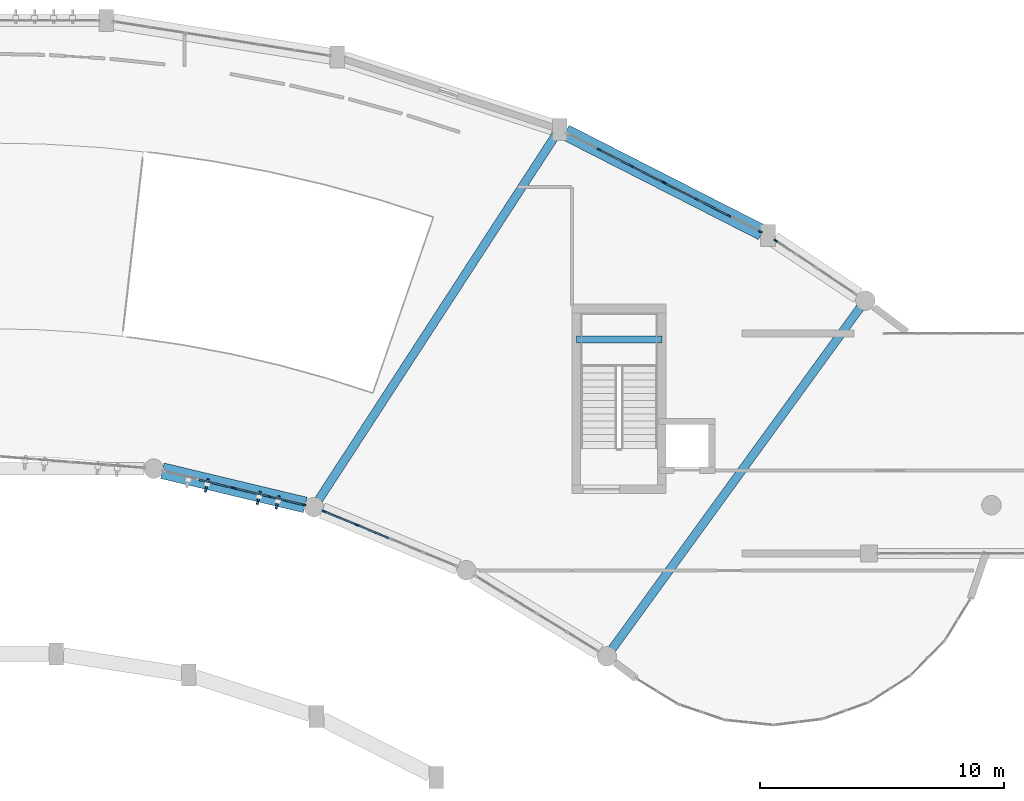
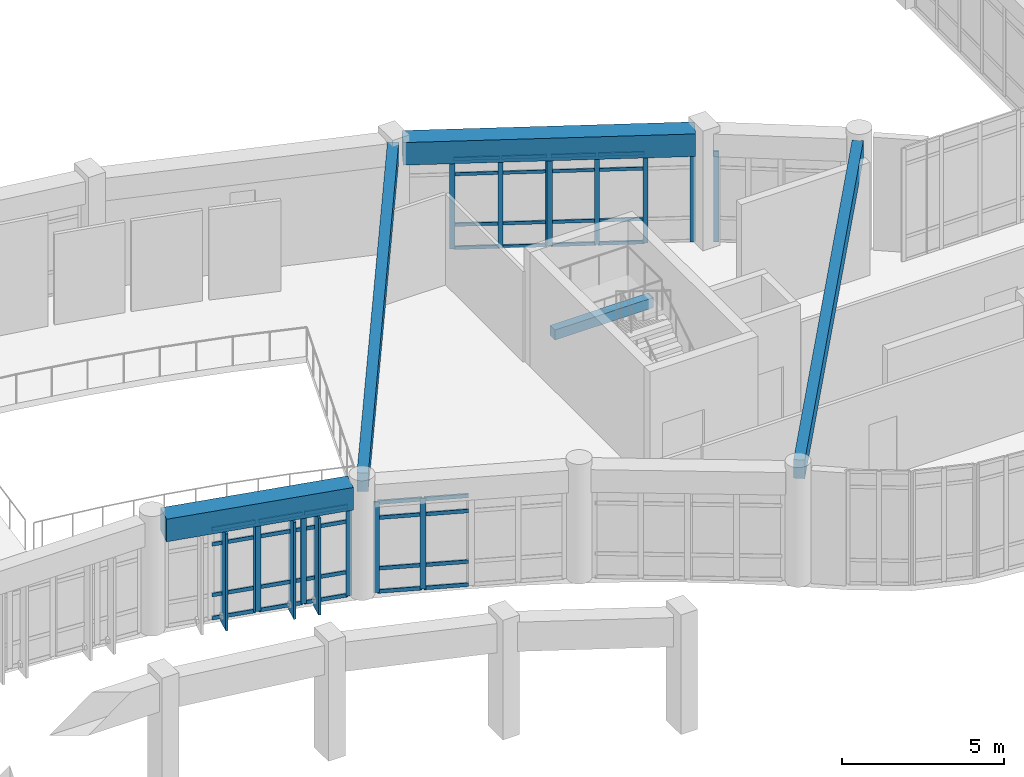
# One storey, part 17 of 57: 53 members, 5 beams, 6 elements without a shape of their own.
"""IFC4 building model written with IfcOpenShell, lengths in metres."""

from ifc_helpers import new_model, si_unit, direction, frame, origin, origin_2d, place, context, subcontext, project, spatial, rectangle, extrude, material, layer, layer_set, material_profile, profile_set, type_object, element, aggregate, save


model = new_model("IFC4")

# Units and contexts
model_context = context("Model", 3, precision=1e-05, world=origin(), true_north=direction((0.0, 1.0)))
body_context = subcontext(model_context, "Body", "Model", "MODEL_VIEW")
ifc_project = project(units=[si_unit("LENGTHUNIT", "METRE"), si_unit("AREAUNIT", "SQUARE_METRE"), si_unit("VOLUMEUNIT", "CUBIC_METRE"), si_unit("PLANEANGLEUNIT", "RADIAN"), si_unit("MASSUNIT", "GRAM", prefix="KILO")], contexts=[model_context])

# Site, building, storey
site_placement = place(None, origin())
site = spatial("IfcSite", under=ifc_project, at=site_placement, CompositionType="ELEMENT")
building_placement = place(site_placement, origin())
building = spatial("IfcBuilding", under=site, at=building_placement, Name="Miralva Faculty of Natural Sciences", CompositionType="ELEMENT")
storey_placement = place(building_placement, frame((0.0, 0.0, 15.0)))
storey = spatial("IfcBuildingStorey", under=building, at=storey_placement, Name="L03", CompositionType="ELEMENT", Elevation=15.0)

# Beams
ifc_material_1 = material(Name="Concrete C40/50", Category="concrete")
ifc_material_profile_1 = material_profile(ifc_material_1, rectangle(XDim=0.35009765625, YDim=0.699951171875, at=origin_2d()), Name="RC 350x700")
ifc_profile_set_1 = profile_set([ifc_material_profile_1], Name="Concrete C40/50")
beam_type_1 = type_object("IfcBeamType", Name="BM-B04", PredefinedType="BEAM", material=ifc_profile_set_1)
beam_1_placement = place(storey_placement, frame((115.486328125, 14.087646484375, 3.909912109375), z_axis=(0.587845363803, 0.808973317394, 0.0), x_axis=(-0.808973317394, 0.587845363803, 0.0)))
element("IfcBeam", 1, at=beam_1_placement, inside=storey, type_object=beam_type_1, Name="Swept-arc radial girder L03-1", PredefinedType="BEAM", context=body_context, shape_type="SweptSolid", body=[
    extrude(rectangle(XDim=0.35009765625, YDim=0.699951171875, at=origin_2d()), origin(), (0.0, 0.0, 1.0), 17.26220703125),
])
beam_2_placement = place(storey_placement, frame((103.490478515625, 20.20849609375, 3.909912109375), z_axis=(0.545032231666, 0.838415091971, 0.0), x_axis=(-0.838415091971, 0.545032231666, 0.0)))
element("IfcBeam", 2, at=beam_2_placement, inside=storey, type_object=beam_type_1, Name="Swept-arc radial girder L03-3", PredefinedType="BEAM", context=body_context, shape_type="SweptSolid", body=[
    extrude(rectangle(XDim=0.35009765625, YDim=0.699951171875, at=origin_2d()), origin(), (0.0, 0.0, 1.0), 17.795654296875),
])
ifc_material_profile_2 = material_profile(ifc_material_1, rectangle(XDim=0.300048828125, YDim=0.3798828125, at=origin_2d()), Name="RC 300x380")
ifc_profile_set_2 = profile_set([ifc_material_profile_2], Name="Concrete C40/50")
beam_type_2 = type_object("IfcBeamType", Name="BM-LND01", PredefinedType="BEAM", material=ifc_profile_set_2)
beam_3_placement = place(storey_placement, frame((114.02490234375, 26.7548828125, 1.8701171875), z_axis=(1.0, 0.0, 0.0), x_axis=(0.0, 1.0, 0.0)))
element("IfcBeam", 3, at=beam_3_placement, inside=storey, type_object=beam_type_2, Name="Stair Core C3 half-landing support beam L03", PredefinedType="BEAM", context=body_context, shape_type="SweptSolid", body=[
    extrude(rectangle(XDim=0.300048828125, YDim=0.3798828125, at=origin_2d()), origin(), (0.0, 0.0, 1.0), 3.5),
])
ifc_material_profile_3 = material_profile(ifc_material_1, rectangle(XDim=0.64990234375, YDim=0.85009765625, at=origin_2d()), Name="RC 650x850")
ifc_profile_set_3 = profile_set([ifc_material_profile_3], Name="Concrete C40/50")
beam_type_3 = type_object("IfcBeamType", Name="BM-SP03", PredefinedType="SPANDREL", material=ifc_profile_set_3)
beam_4_placement = place(storey_placement, frame((121.6240234375, 31.135498046875, 3.8349609375), z_axis=(-0.890849035396, 0.454299456454, 0.0), x_axis=(-0.454299456454, -0.890849035396, 0.0)))
element("IfcBeam", 4, at=beam_4_placement, inside=storey, type_object=beam_type_3, Name="Curved chord girder SHOUT L03-2", PredefinedType="SPANDREL", context=body_context, shape_type="SweptSolid", body=[
    extrude(rectangle(XDim=0.64990234375, YDim=0.85009765625, at=origin_2d()), origin(), (0.0, 0.0, 1.0), 9.02294921875),
])
beam_5_placement = place(storey_placement, frame((102.93212890625, 19.985595703125, 3.8349609375), z_axis=(-0.97253572319, 0.232753661883, 0.0), x_axis=(-0.232753661883, -0.97253572319, 0.0)))
element("IfcBeam", 5, at=beam_5_placement, inside=storey, type_object=beam_type_3, Name="Curved chord girder ARCIN L03-3", PredefinedType="SPANDREL", context=body_context, shape_type="SweptSolid", body=[
    extrude(rectangle(XDim=0.64990234375, YDim=0.85009765625, at=origin_2d()), origin(), (0.0, 0.0, 1.0), 6.00927734375),
])

# Curtain wall, member
ifc_material_2 = material(Name="Laminated solar-control glass", Category="glass")
ifc_layer = layer(ifc_material_2, 0.179931640625, Name="CW-ARC-L03")
ifc_layer_set = layer_set([ifc_layer], Name="Laminated solar-control glass")
curtain_wall_type = type_object("IfcCurtainWallType", Name="CW-ARC-L03", PredefinedType="USERDEFINED", material=ifc_layer_set)
curtain_wall_1_placement = place(storey_placement, origin())
curtain_wall_1 = element("IfcCurtainWall", 6, at=curtain_wall_1_placement, inside=storey, type_object=curtain_wall_type, Name="Curtain wall CW-03 L03-119", ObjectType="UNITISED CURTAIN WALL", PredefinedType="USERDEFINED")
ifc_material_3 = material(Name="Anodised aluminium", Category="aluminium")
ifc_material_profile_4 = material_profile(ifc_material_3, rectangle(XDim=0.06494140625, YDim=0.179931640625, at=origin_2d()), Name="MULLION 65x180")
ifc_profile_set_4 = profile_set([ifc_material_profile_4], Name="Anodised aluminium")
member_type_1 = type_object("IfcMemberType", Name="CW-M01", PredefinedType="MULLION", material=ifc_profile_set_4)
member_1_placement = place(storey_placement, frame((99.9755859375, 20.690673828125, 0.0), z_axis=(0.0, 0.0, 1.0), x_axis=(0.233456753574, 0.972367185898, 0.0)))
member_1 = element("IfcMember", 7, at=member_1_placement, type_object=member_type_1, Name="CW-03 mullion 3", PredefinedType="MULLION", context=body_context, shape_type="SweptSolid", body=[
    extrude(rectangle(XDim=0.06494140625, YDim=0.179931640625, at=origin_2d()), origin(), (0.0, 0.0, 1.0), 3.405029296875),
])

# Curtain wall, members
curtain_wall_2_placement = place(storey_placement, origin())
curtain_wall_2 = element("IfcCurtainWall", 8, at=curtain_wall_2_placement, inside=storey, type_object=curtain_wall_type, Name="Curtain wall CW-03 L03-120", ObjectType="UNITISED CURTAIN WALL", PredefinedType="USERDEFINED")
member_2_placement = place(storey_placement, frame((100.033935546875, 20.676513671875, 0.0), z_axis=(0.0, 0.0, 1.0), x_axis=(0.233464217213, 0.972365393914, 0.0)))
member_2 = element("IfcMember", 9, at=member_2_placement, type_object=member_type_1, Name="CW-03 mullion 1", PredefinedType="MULLION", context=body_context, shape_type="SweptSolid", body=[
    extrude(rectangle(XDim=0.06494140625, YDim=0.179931640625, at=origin_2d()), origin(), (0.0, 0.0, 1.0), 3.405029296875),
])
member_3_placement = place(storey_placement, frame((101.452880859375, 20.3359375, 0.0), z_axis=(0.0, 0.0, 1.0), x_axis=(0.233464217213, 0.972365393914, 0.0)))
member_3 = element("IfcMember", 10, at=member_3_placement, type_object=member_type_1, Name="CW-03 mullion 2", PredefinedType="MULLION", context=body_context, shape_type="SweptSolid", body=[
    extrude(rectangle(XDim=0.06494140625, YDim=0.179931640625, at=origin_2d()), origin(), (0.0, 0.0, 1.0), 3.405029296875),
])
member_4_placement = place(storey_placement, frame((102.8720703125, 19.9951171875, 0.0), z_axis=(0.0, 0.0, 1.0), x_axis=(0.233464217213, 0.972365393914, 0.0)))
member_4 = element("IfcMember", 11, at=member_4_placement, type_object=member_type_1, Name="CW-03 mullion 3", PredefinedType="MULLION", context=body_context, shape_type="SweptSolid", body=[
    extrude(rectangle(XDim=0.06494140625, YDim=0.179931640625, at=origin_2d()), origin(), (0.0, 0.0, 1.0), 3.405029296875),
])

curtain_wall_3_placement = place(storey_placement, origin())
curtain_wall_3 = element("IfcCurtainWall", 12, at=curtain_wall_3_placement, inside=storey, type_object=curtain_wall_type, Name="Curtain wall CW-03 L03-121", ObjectType="UNITISED CURTAIN WALL", PredefinedType="USERDEFINED")
member_5_placement = place(storey_placement, frame((103.701171875, 19.72412109375, 0.0), z_axis=(0.0, 0.0, 1.0), x_axis=(0.382656259046, 0.9238907876, 0.0)))
member_5 = element("IfcMember", 13, at=member_5_placement, type_object=member_type_1, Name="CW-03 mullion 1", PredefinedType="MULLION", context=body_context, shape_type="SweptSolid", body=[
    extrude(rectangle(XDim=0.06494140625, YDim=0.179931640625, at=origin_2d()), origin(), (0.0, 0.0, 1.0), 3.405029296875),
])
member_6_placement = place(storey_placement, frame((105.037841796875, 19.17041015625, 0.0), z_axis=(0.0, 0.0, 1.0), x_axis=(0.382656259046, 0.9238907876, 0.0)))
member_6 = element("IfcMember", 14, at=member_6_placement, type_object=member_type_1, Name="CW-03 mullion 2", PredefinedType="MULLION", context=body_context, shape_type="SweptSolid", body=[
    extrude(rectangle(XDim=0.06494140625, YDim=0.179931640625, at=origin_2d()), origin(), (0.0, 0.0, 1.0), 3.405029296875),
])

curtain_wall_4_placement = place(storey_placement, origin())
curtain_wall_4 = element("IfcCurtainWall", 15, at=curtain_wall_4_placement, inside=storey, type_object=curtain_wall_type, Name="Curtain wall CW-03 L03-137", ObjectType="UNITISED CURTAIN WALL", PredefinedType="USERDEFINED")
ifc_material_profile_5 = material_profile(ifc_material_3, rectangle(XDim=0.06494140625, YDim=0.159912109375, at=origin_2d()), Name="MULLION 65x160")
ifc_profile_set_5 = profile_set([ifc_material_profile_5], Name="Anodised aluminium")
member_type_2 = type_object("IfcMemberType", Name="CW-M02", PredefinedType="MULLION", material=ifc_profile_set_5)
member_7_placement = place(storey_placement, frame((114.952392578125, 34.537109375, 0.0), z_axis=(0.0, 0.0, 1.0), x_axis=(0.453973358631, 0.891015257812, 0.0)))
member_7 = element("IfcMember", 16, at=member_7_placement, type_object=member_type_2, Name="CW-03 mullion 2", PredefinedType="MULLION", context=body_context, shape_type="SweptSolid", body=[
    extrude(rectangle(XDim=0.06494140625, YDim=0.159912109375, at=origin_2d()), origin(), (0.0, 0.0, 1.0), 3.405029296875),
])
member_8_placement = place(storey_placement, frame((116.2802734375, 33.8603515625, 0.0), z_axis=(0.0, 0.0, 1.0), x_axis=(0.453973358631, 0.891015257812, 0.0)))
member_8 = element("IfcMember", 17, at=member_8_placement, type_object=member_type_2, Name="CW-03 mullion 3", PredefinedType="MULLION", context=body_context, shape_type="SweptSolid", body=[
    extrude(rectangle(XDim=0.06494140625, YDim=0.159912109375, at=origin_2d()), origin(), (0.0, 0.0, 1.0), 3.405029296875),
])
member_9_placement = place(storey_placement, frame((117.5791015625, 33.19873046875, 0.0), z_axis=(0.0, 0.0, 1.0), x_axis=(0.453973358631, 0.891015257812, 0.0)))
member_9 = element("IfcMember", 18, at=member_9_placement, type_object=member_type_2, Name="CW-03 mullion 4", PredefinedType="MULLION", context=body_context, shape_type="SweptSolid", body=[
    extrude(rectangle(XDim=0.06494140625, YDim=0.159912109375, at=origin_2d()), origin(), (0.0, 0.0, 1.0), 3.405029296875),
])

curtain_wall_5_placement = place(storey_placement, origin())
curtain_wall_5 = element("IfcCurtainWall", 19, at=curtain_wall_5_placement, inside=storey, type_object=curtain_wall_type, Name="Curtain wall CW-03 L03-138", ObjectType="UNITISED CURTAIN WALL", PredefinedType="USERDEFINED")
member_10_placement = place(storey_placement, frame((117.632568359375, 33.17138671875, 0.0), z_axis=(0.0, 0.0, 1.0), x_axis=(0.454001417532, 0.891000961211, 0.0)))
member_10 = element("IfcMember", 20, at=member_10_placement, type_object=member_type_2, Name="CW-03 mullion 1", PredefinedType="MULLION", context=body_context, shape_type="SweptSolid", body=[
    extrude(rectangle(XDim=0.06494140625, YDim=0.159912109375, at=origin_2d()), origin(), (0.0, 0.0, 1.0), 3.405029296875),
])
member_11_placement = place(storey_placement, frame((118.932861328125, 32.5087890625, 0.0), z_axis=(0.0, 0.0, 1.0), x_axis=(0.454001417532, 0.891000961211, 0.0)))
member_11 = element("IfcMember", 21, at=member_11_placement, type_object=member_type_2, Name="CW-03 mullion 2", PredefinedType="MULLION", context=body_context, shape_type="SweptSolid", body=[
    extrude(rectangle(XDim=0.06494140625, YDim=0.159912109375, at=origin_2d()), origin(), (0.0, 0.0, 1.0), 3.405029296875),
])
member_12_placement = place(storey_placement, frame((120.262451171875, 31.83154296875, 0.0), z_axis=(0.0, 0.0, 1.0), x_axis=(0.454001417532, 0.891000961211, 0.0)))
member_12 = element("IfcMember", 22, at=member_12_placement, type_object=member_type_2, Name="CW-03 mullion 3", PredefinedType="MULLION", context=body_context, shape_type="SweptSolid", body=[
    extrude(rectangle(XDim=0.06494140625, YDim=0.159912109375, at=origin_2d()), origin(), (0.0, 0.0, 1.0), 3.405029296875),
])
member_13_placement = place(storey_placement, frame((121.562744140625, 31.1689453125, 0.0), z_axis=(0.0, 0.0, 1.0), x_axis=(0.454001417532, 0.891000961211, 0.0)))
member_13 = element("IfcMember", 23, at=member_13_placement, type_object=member_type_2, Name="CW-03 mullion 4", PredefinedType="MULLION", context=body_context, shape_type="SweptSolid", body=[
    extrude(rectangle(XDim=0.06494140625, YDim=0.159912109375, at=origin_2d()), origin(), (0.0, 0.0, 1.0), 3.405029296875),
])

# Curtain wall, member
curtain_wall_6_placement = place(storey_placement, origin())
curtain_wall_6 = element("IfcCurtainWall", 24, at=curtain_wall_6_placement, inside=storey, type_object=curtain_wall_type, Name="Curtain wall CW-03 L03-139", ObjectType="UNITISED CURTAIN WALL", PredefinedType="USERDEFINED")
member_14_placement = place(storey_placement, frame((122.186279296875, 30.80126953125, 0.0), z_axis=(0.0, 0.0, 1.0), x_axis=(0.555589230409, 0.831456918339, 0.0)))
member_14 = element("IfcMember", 25, at=member_14_placement, type_object=member_type_2, Name="CW-03 mullion 1", PredefinedType="MULLION", context=body_context, shape_type="SweptSolid", body=[
    extrude(rectangle(XDim=0.06494140625, YDim=0.159912109375, at=origin_2d()), origin(), (0.0, 0.0, 1.0), 3.405029296875),
])
aggregate(curtain_wall_6, [member_14])

# Member
ifc_material_profile_6 = material_profile(ifc_material_3, rectangle(XDim=0.06494140625, YDim=0.139892578125, at=origin_2d()), Name="TRANSOM 65x140")
ifc_profile_set_6 = profile_set([ifc_material_profile_6], Name="Anodised aluminium")
member_type_3 = type_object("IfcMemberType", Name="CW-T01", PredefinedType="USERDEFINED", material=ifc_profile_set_6)
member_15_placement = place(storey_placement, frame((98.590576171875, 21.023193359375, 0.032470703125), z_axis=(0.972369786639, -0.233445920999, 0.0), x_axis=(0.233445920999, 0.972369786639, 0.0)))
member_15 = element("IfcMember", 26, at=member_15_placement, type_object=member_type_3, Name="CW-03 transom 2.1", ObjectType="TRANSOM", PredefinedType="USERDEFINED", context=body_context, shape_type="SweptSolid", body=[
    extrude(rectangle(XDim=0.06494140625, YDim=0.139892578125, at=origin_2d()), origin(), (0.0, 0.0, 1.0), 1.39208984375),
])

member_16_placement = place(storey_placement, frame((98.590576171875, 21.023193359375, 0.89990234375), z_axis=(0.972369786639, -0.233445920999, 0.0), x_axis=(0.233445920999, 0.972369786639, 0.0)))
member_16 = element("IfcMember", 27, at=member_16_placement, type_object=member_type_3, Name="CW-03 transom 2.2", ObjectType="TRANSOM", PredefinedType="USERDEFINED", context=body_context, shape_type="SweptSolid", body=[
    extrude(rectangle(XDim=0.06494140625, YDim=0.139892578125, at=origin_2d()), origin(), (0.0, 0.0, 1.0), 1.39208984375),
])

member_17_placement = place(storey_placement, frame((98.590576171875, 21.023193359375, 2.804931640625), z_axis=(0.972369786639, -0.233445920999, 0.0), x_axis=(0.233445920999, 0.972369786639, 0.0)))
member_17 = element("IfcMember", 28, at=member_17_placement, type_object=member_type_3, Name="CW-03 transom 2.3", ObjectType="TRANSOM", PredefinedType="USERDEFINED", context=body_context, shape_type="SweptSolid", body=[
    extrude(rectangle(XDim=0.06494140625, YDim=0.139892578125, at=origin_2d()), origin(), (0.0, 0.0, 1.0), 1.39208984375),
])

member_18_placement = place(storey_placement, frame((98.590576171875, 21.023193359375, 3.37255859375), z_axis=(0.972369786639, -0.233445920999, 0.0), x_axis=(0.233445920999, 0.972369786639, 0.0)))
member_18 = element("IfcMember", 29, at=member_18_placement, type_object=member_type_3, Name="CW-03 transom 2.4", ObjectType="TRANSOM", PredefinedType="USERDEFINED", context=body_context, shape_type="SweptSolid", body=[
    extrude(rectangle(XDim=0.06494140625, YDim=0.139892578125, at=origin_2d()), origin(), (0.0, 0.0, 1.0), 1.39208984375),
])

aggregate(curtain_wall_1, [member_1, member_15, member_16, member_17, member_18])

member_19_placement = place(storey_placement, frame((100.0654296875, 20.6689453125, 0.032470703125), z_axis=(0.972385712744, -0.233379574196, 0.0), x_axis=(0.233379574196, 0.972385712744, 0.0)))
member_19 = element("IfcMember", 30, at=member_19_placement, type_object=member_type_3, Name="CW-03 transom 1.1", ObjectType="TRANSOM", PredefinedType="USERDEFINED", context=body_context, shape_type="SweptSolid", body=[
    extrude(rectangle(XDim=0.06494140625, YDim=0.139892578125, at=origin_2d()), origin(), (0.0, 0.0, 1.0), 1.39453125),
])

member_20_placement = place(storey_placement, frame((100.0654296875, 20.6689453125, 0.89990234375), z_axis=(0.972385712744, -0.233379574196, 0.0), x_axis=(0.233379574196, 0.972385712744, 0.0)))
member_20 = element("IfcMember", 31, at=member_20_placement, type_object=member_type_3, Name="CW-03 transom 1.2", ObjectType="TRANSOM", PredefinedType="USERDEFINED", context=body_context, shape_type="SweptSolid", body=[
    extrude(rectangle(XDim=0.06494140625, YDim=0.139892578125, at=origin_2d()), origin(), (0.0, 0.0, 1.0), 1.39453125),
])

member_21_placement = place(storey_placement, frame((100.0654296875, 20.6689453125, 2.804931640625), z_axis=(0.972385712744, -0.233379574196, 0.0), x_axis=(0.233379574196, 0.972385712744, 0.0)))
member_21 = element("IfcMember", 32, at=member_21_placement, type_object=member_type_3, Name="CW-03 transom 1.3", ObjectType="TRANSOM", PredefinedType="USERDEFINED", context=body_context, shape_type="SweptSolid", body=[
    extrude(rectangle(XDim=0.06494140625, YDim=0.139892578125, at=origin_2d()), origin(), (0.0, 0.0, 1.0), 1.39453125),
])

member_22_placement = place(storey_placement, frame((100.0654296875, 20.6689453125, 3.37255859375), z_axis=(0.972385712744, -0.233379574196, 0.0), x_axis=(0.233379574196, 0.972385712744, 0.0)))
member_22 = element("IfcMember", 33, at=member_22_placement, type_object=member_type_3, Name="CW-03 transom 1.4", ObjectType="TRANSOM", PredefinedType="USERDEFINED", context=body_context, shape_type="SweptSolid", body=[
    extrude(rectangle(XDim=0.06494140625, YDim=0.139892578125, at=origin_2d()), origin(), (0.0, 0.0, 1.0), 1.39453125),
])

member_23_placement = place(storey_placement, frame((101.484619140625, 20.328369140625, 0.032470703125), z_axis=(0.972336417448, -0.233584869598, 0.0), x_axis=(0.233584869598, 0.972336417448, 0.0)))
member_23 = element("IfcMember", 34, at=member_23_placement, type_object=member_type_3, Name="CW-03 transom 2.1", ObjectType="TRANSOM", PredefinedType="USERDEFINED", context=body_context, shape_type="SweptSolid", body=[
    extrude(rectangle(XDim=0.06494140625, YDim=0.139892578125, at=origin_2d()), origin(), (0.0, 0.0, 1.0), 1.394287109375),
])

member_24_placement = place(storey_placement, frame((101.484619140625, 20.328369140625, 0.89990234375), z_axis=(0.972336417448, -0.233584869598, 0.0), x_axis=(0.233584869598, 0.972336417448, 0.0)))
member_24 = element("IfcMember", 35, at=member_24_placement, type_object=member_type_3, Name="CW-03 transom 2.2", ObjectType="TRANSOM", PredefinedType="USERDEFINED", context=body_context, shape_type="SweptSolid", body=[
    extrude(rectangle(XDim=0.06494140625, YDim=0.139892578125, at=origin_2d()), origin(), (0.0, 0.0, 1.0), 1.394287109375),
])

member_25_placement = place(storey_placement, frame((101.484619140625, 20.328369140625, 2.804931640625), z_axis=(0.972336417448, -0.233584869598, 0.0), x_axis=(0.233584869598, 0.972336417448, 0.0)))
member_25 = element("IfcMember", 36, at=member_25_placement, type_object=member_type_3, Name="CW-03 transom 2.3", ObjectType="TRANSOM", PredefinedType="USERDEFINED", context=body_context, shape_type="SweptSolid", body=[
    extrude(rectangle(XDim=0.06494140625, YDim=0.139892578125, at=origin_2d()), origin(), (0.0, 0.0, 1.0), 1.394287109375),
])

member_26_placement = place(storey_placement, frame((101.484619140625, 20.328369140625, 3.37255859375), z_axis=(0.972336417448, -0.233584869598, 0.0), x_axis=(0.233584869598, 0.972336417448, 0.0)))
member_26 = element("IfcMember", 37, at=member_26_placement, type_object=member_type_3, Name="CW-03 transom 2.4", ObjectType="TRANSOM", PredefinedType="USERDEFINED", context=body_context, shape_type="SweptSolid", body=[
    extrude(rectangle(XDim=0.06494140625, YDim=0.139892578125, at=origin_2d()), origin(), (0.0, 0.0, 1.0), 1.394287109375),
])

aggregate(curtain_wall_2, [member_2, member_3, member_4, member_19, member_20, member_21, member_22, member_23, member_24, member_25, member_26])

member_27_placement = place(storey_placement, frame((103.731201171875, 19.711669921875, 0.032470703125), z_axis=(0.923874704855, -0.382695087151, 0.0), x_axis=(0.382695087151, 0.923874704855, 0.0)))
member_27 = element("IfcMember", 38, at=member_27_placement, type_object=member_type_3, Name="CW-03 transom 1.1", ObjectType="TRANSOM", PredefinedType="USERDEFINED", context=body_context, shape_type="SweptSolid", body=[
    extrude(rectangle(XDim=0.06494140625, YDim=0.139892578125, at=origin_2d()), origin(), (0.0, 0.0, 1.0), 1.3818359375),
])

member_28_placement = place(storey_placement, frame((103.731201171875, 19.711669921875, 0.89990234375), z_axis=(0.923874704855, -0.382695087151, 0.0), x_axis=(0.382695087151, 0.923874704855, 0.0)))
member_28 = element("IfcMember", 39, at=member_28_placement, type_object=member_type_3, Name="CW-03 transom 1.2", ObjectType="TRANSOM", PredefinedType="USERDEFINED", context=body_context, shape_type="SweptSolid", body=[
    extrude(rectangle(XDim=0.06494140625, YDim=0.139892578125, at=origin_2d()), origin(), (0.0, 0.0, 1.0), 1.3818359375),
])

member_29_placement = place(storey_placement, frame((103.731201171875, 19.711669921875, 2.804931640625), z_axis=(0.923874704855, -0.382695087151, 0.0), x_axis=(0.382695087151, 0.923874704855, 0.0)))
member_29 = element("IfcMember", 40, at=member_29_placement, type_object=member_type_3, Name="CW-03 transom 1.3", ObjectType="TRANSOM", PredefinedType="USERDEFINED", context=body_context, shape_type="SweptSolid", body=[
    extrude(rectangle(XDim=0.06494140625, YDim=0.139892578125, at=origin_2d()), origin(), (0.0, 0.0, 1.0), 1.3818359375),
])

member_30_placement = place(storey_placement, frame((103.731201171875, 19.711669921875, 3.37255859375), z_axis=(0.923874704855, -0.382695087151, 0.0), x_axis=(0.382695087151, 0.923874704855, 0.0)))
member_30 = element("IfcMember", 41, at=member_30_placement, type_object=member_type_3, Name="CW-03 transom 1.4", ObjectType="TRANSOM", PredefinedType="USERDEFINED", context=body_context, shape_type="SweptSolid", body=[
    extrude(rectangle(XDim=0.06494140625, YDim=0.139892578125, at=origin_2d()), origin(), (0.0, 0.0, 1.0), 1.3818359375),
])

member_31_placement = place(storey_placement, frame((105.06787109375, 19.157958984375, 0.032470703125), z_axis=(0.923963016378, -0.382481822268, 0.0), x_axis=(0.382481822268, 0.923963016378, 0.0)))
member_31 = element("IfcMember", 42, at=member_31_placement, type_object=member_type_3, Name="CW-03 transom 2.1", ObjectType="TRANSOM", PredefinedType="USERDEFINED", context=body_context, shape_type="SweptSolid", body=[
    extrude(rectangle(XDim=0.06494140625, YDim=0.139892578125, at=origin_2d()), origin(), (0.0, 0.0, 1.0), 1.3818359375),
])

member_32_placement = place(storey_placement, frame((105.06787109375, 19.157958984375, 0.89990234375), z_axis=(0.923963016378, -0.382481822268, 0.0), x_axis=(0.382481822268, 0.923963016378, 0.0)))
member_32 = element("IfcMember", 43, at=member_32_placement, type_object=member_type_3, Name="CW-03 transom 2.2", ObjectType="TRANSOM", PredefinedType="USERDEFINED", context=body_context, shape_type="SweptSolid", body=[
    extrude(rectangle(XDim=0.06494140625, YDim=0.139892578125, at=origin_2d()), origin(), (0.0, 0.0, 1.0), 1.3818359375),
])

member_33_placement = place(storey_placement, frame((105.06787109375, 19.157958984375, 2.804931640625), z_axis=(0.923963016378, -0.382481822268, 0.0), x_axis=(0.382481822268, 0.923963016378, 0.0)))
member_33 = element("IfcMember", 44, at=member_33_placement, type_object=member_type_3, Name="CW-03 transom 2.3", ObjectType="TRANSOM", PredefinedType="USERDEFINED", context=body_context, shape_type="SweptSolid", body=[
    extrude(rectangle(XDim=0.06494140625, YDim=0.139892578125, at=origin_2d()), origin(), (0.0, 0.0, 1.0), 1.3818359375),
])

member_34_placement = place(storey_placement, frame((105.06787109375, 19.157958984375, 3.37255859375), z_axis=(0.923963016378, -0.382481822268, 0.0), x_axis=(0.382481822268, 0.923963016378, 0.0)))
member_34 = element("IfcMember", 45, at=member_34_placement, type_object=member_type_3, Name="CW-03 transom 2.4", ObjectType="TRANSOM", PredefinedType="USERDEFINED", context=body_context, shape_type="SweptSolid", body=[
    extrude(rectangle(XDim=0.06494140625, YDim=0.139892578125, at=origin_2d()), origin(), (0.0, 0.0, 1.0), 1.3818359375),
])

aggregate(curtain_wall_3, [member_5, member_6, member_27, member_28, member_29, member_30, member_31, member_32, member_33, member_34])

ifc_material_profile_7 = material_profile(ifc_material_3, rectangle(XDim=0.06005859375, YDim=0.1201171875, at=origin_2d()), Name="TRANSOM 60x120")
ifc_profile_set_7 = profile_set([ifc_material_profile_7], Name="Anodised aluminium")
member_type_4 = type_object("IfcMemberType", Name="CW-T02", PredefinedType="USERDEFINED", material=ifc_profile_set_7)
member_35_placement = place(storey_placement, frame((114.981201171875, 34.522216796875, 0.030029296875), z_axis=(0.891044725517, -0.453915517612, 0.0), x_axis=(0.453915517612, 0.891044725517, 0.0)))
member_35 = element("IfcMember", 46, at=member_35_placement, type_object=member_type_4, Name="CW-03 transom 2.1", ObjectType="TRANSOM", PredefinedType="USERDEFINED", context=body_context, shape_type="SweptSolid", body=[
    extrude(rectangle(XDim=0.06005859375, YDim=0.1201171875, at=origin_2d()), origin(), (0.0, 0.0, 1.0), 1.42529296875),
])

member_36_placement = place(storey_placement, frame((114.981201171875, 34.522216796875, 0.89990234375), z_axis=(0.891044725517, -0.453915517612, 0.0), x_axis=(0.453915517612, 0.891044725517, 0.0)))
member_36 = element("IfcMember", 47, at=member_36_placement, type_object=member_type_4, Name="CW-03 transom 2.2", ObjectType="TRANSOM", PredefinedType="USERDEFINED", context=body_context, shape_type="SweptSolid", body=[
    extrude(rectangle(XDim=0.06005859375, YDim=0.1201171875, at=origin_2d()), origin(), (0.0, 0.0, 1.0), 1.42529296875),
])

member_37_placement = place(storey_placement, frame((114.981201171875, 34.522216796875, 2.804931640625), z_axis=(0.891044725517, -0.453915517612, 0.0), x_axis=(0.453915517612, 0.891044725517, 0.0)))
member_37 = element("IfcMember", 48, at=member_37_placement, type_object=member_type_4, Name="CW-03 transom 2.3", ObjectType="TRANSOM", PredefinedType="USERDEFINED", context=body_context, shape_type="SweptSolid", body=[
    extrude(rectangle(XDim=0.06005859375, YDim=0.1201171875, at=origin_2d()), origin(), (0.0, 0.0, 1.0), 1.42529296875),
])

member_38_placement = place(storey_placement, frame((114.981201171875, 34.522216796875, 3.375), z_axis=(0.891044725517, -0.453915517612, 0.0), x_axis=(0.453915517612, 0.891044725517, 0.0)))
member_38 = element("IfcMember", 49, at=member_38_placement, type_object=member_type_4, Name="CW-03 transom 2.4", ObjectType="TRANSOM", PredefinedType="USERDEFINED", context=body_context, shape_type="SweptSolid", body=[
    extrude(rectangle(XDim=0.06005859375, YDim=0.1201171875, at=origin_2d()), origin(), (0.0, 0.0, 1.0), 1.42529296875),
])

member_39_placement = place(storey_placement, frame((116.30908203125, 33.845703125, 0.030029296875), z_axis=(0.89103682183, -0.453931032364, 0.0), x_axis=(0.453931032364, 0.89103682183, 0.0)))
member_39 = element("IfcMember", 50, at=member_39_placement, type_object=member_type_4, Name="CW-03 transom 3.1", ObjectType="TRANSOM", PredefinedType="USERDEFINED", context=body_context, shape_type="SweptSolid", body=[
    extrude(rectangle(XDim=0.06005859375, YDim=0.1201171875, at=origin_2d()), origin(), (0.0, 0.0, 1.0), 1.39306640625),
])

member_40_placement = place(storey_placement, frame((116.30908203125, 33.845703125, 0.89990234375), z_axis=(0.89103682183, -0.453931032364, 0.0), x_axis=(0.453931032364, 0.89103682183, 0.0)))
member_40 = element("IfcMember", 51, at=member_40_placement, type_object=member_type_4, Name="CW-03 transom 3.2", ObjectType="TRANSOM", PredefinedType="USERDEFINED", context=body_context, shape_type="SweptSolid", body=[
    extrude(rectangle(XDim=0.06005859375, YDim=0.1201171875, at=origin_2d()), origin(), (0.0, 0.0, 1.0), 1.39306640625),
])

member_41_placement = place(storey_placement, frame((116.30908203125, 33.845703125, 2.804931640625), z_axis=(0.89103682183, -0.453931032364, 0.0), x_axis=(0.453931032364, 0.89103682183, 0.0)))
member_41 = element("IfcMember", 52, at=member_41_placement, type_object=member_type_4, Name="CW-03 transom 3.3", ObjectType="TRANSOM", PredefinedType="USERDEFINED", context=body_context, shape_type="SweptSolid", body=[
    extrude(rectangle(XDim=0.06005859375, YDim=0.1201171875, at=origin_2d()), origin(), (0.0, 0.0, 1.0), 1.39306640625),
])

member_42_placement = place(storey_placement, frame((116.30908203125, 33.845703125, 3.375), z_axis=(0.89103682183, -0.453931032364, 0.0), x_axis=(0.453931032364, 0.89103682183, 0.0)))
member_42 = element("IfcMember", 53, at=member_42_placement, type_object=member_type_4, Name="CW-03 transom 3.4", ObjectType="TRANSOM", PredefinedType="USERDEFINED", context=body_context, shape_type="SweptSolid", body=[
    extrude(rectangle(XDim=0.06005859375, YDim=0.1201171875, at=origin_2d()), origin(), (0.0, 0.0, 1.0), 1.39306640625),
])

aggregate(curtain_wall_4, [member_7, member_8, member_9, member_35, member_36, member_37, member_38, member_39, member_40, member_41, member_42])

member_43_placement = place(storey_placement, frame((117.66162109375, 33.15673828125, 0.030029296875), z_axis=(0.891004754487, -0.453993972958, 0.0), x_axis=(0.453993972958, 0.891004754487, 0.0)))
member_43 = element("IfcMember", 54, at=member_43_placement, type_object=member_type_4, Name="CW-03 transom 1.1", ObjectType="TRANSOM", PredefinedType="USERDEFINED", context=body_context, shape_type="SweptSolid", body=[
    extrude(rectangle(XDim=0.06005859375, YDim=0.1201171875, at=origin_2d()), origin(), (0.0, 0.0, 1.0), 1.39453125),
])

member_44_placement = place(storey_placement, frame((117.66162109375, 33.15673828125, 0.89990234375), z_axis=(0.891004754487, -0.453993972958, 0.0), x_axis=(0.453993972958, 0.891004754487, 0.0)))
member_44 = element("IfcMember", 55, at=member_44_placement, type_object=member_type_4, Name="CW-03 transom 1.2", ObjectType="TRANSOM", PredefinedType="USERDEFINED", context=body_context, shape_type="SweptSolid", body=[
    extrude(rectangle(XDim=0.06005859375, YDim=0.1201171875, at=origin_2d()), origin(), (0.0, 0.0, 1.0), 1.39453125),
])

member_45_placement = place(storey_placement, frame((117.66162109375, 33.15673828125, 2.804931640625), z_axis=(0.891004754487, -0.453993972958, 0.0), x_axis=(0.453993972958, 0.891004754487, 0.0)))
member_45 = element("IfcMember", 56, at=member_45_placement, type_object=member_type_4, Name="CW-03 transom 1.3", ObjectType="TRANSOM", PredefinedType="USERDEFINED", context=body_context, shape_type="SweptSolid", body=[
    extrude(rectangle(XDim=0.06005859375, YDim=0.1201171875, at=origin_2d()), origin(), (0.0, 0.0, 1.0), 1.39453125),
])

member_46_placement = place(storey_placement, frame((117.66162109375, 33.15673828125, 3.375), z_axis=(0.891004754487, -0.453993972958, 0.0), x_axis=(0.453993972958, 0.891004754487, 0.0)))
member_46 = element("IfcMember", 57, at=member_46_placement, type_object=member_type_4, Name="CW-03 transom 1.4", ObjectType="TRANSOM", PredefinedType="USERDEFINED", context=body_context, shape_type="SweptSolid", body=[
    extrude(rectangle(XDim=0.06005859375, YDim=0.1201171875, at=origin_2d()), origin(), (0.0, 0.0, 1.0), 1.39453125),
])

member_47_placement = place(storey_placement, frame((118.9619140625, 32.494140625, 0.030029296875), z_axis=(0.890979432498, -0.454043666254, 0.0), x_axis=(0.454043666254, 0.890979432498, 0.0)))
member_47 = element("IfcMember", 58, at=member_47_placement, type_object=member_type_4, Name="CW-03 transom 2.1", ObjectType="TRANSOM", PredefinedType="USERDEFINED", context=body_context, shape_type="SweptSolid", body=[
    extrude(rectangle(XDim=0.06005859375, YDim=0.1201171875, at=origin_2d()), origin(), (0.0, 0.0, 1.0), 1.427001953125),
])

member_48_placement = place(storey_placement, frame((118.9619140625, 32.494140625, 0.89990234375), z_axis=(0.890979432498, -0.454043666254, 0.0), x_axis=(0.454043666254, 0.890979432498, 0.0)))
member_48 = element("IfcMember", 59, at=member_48_placement, type_object=member_type_4, Name="CW-03 transom 2.2", ObjectType="TRANSOM", PredefinedType="USERDEFINED", context=body_context, shape_type="SweptSolid", body=[
    extrude(rectangle(XDim=0.06005859375, YDim=0.1201171875, at=origin_2d()), origin(), (0.0, 0.0, 1.0), 1.427001953125),
])

member_49_placement = place(storey_placement, frame((118.9619140625, 32.494140625, 2.804931640625), z_axis=(0.890979432498, -0.454043666254, 0.0), x_axis=(0.454043666254, 0.890979432498, 0.0)))
member_49 = element("IfcMember", 60, at=member_49_placement, type_object=member_type_4, Name="CW-03 transom 2.3", ObjectType="TRANSOM", PredefinedType="USERDEFINED", context=body_context, shape_type="SweptSolid", body=[
    extrude(rectangle(XDim=0.06005859375, YDim=0.1201171875, at=origin_2d()), origin(), (0.0, 0.0, 1.0), 1.427001953125),
])

member_50_placement = place(storey_placement, frame((118.9619140625, 32.494140625, 3.375), z_axis=(0.890979432498, -0.454043666254, 0.0), x_axis=(0.454043666254, 0.890979432498, 0.0)))
member_50 = element("IfcMember", 61, at=member_50_placement, type_object=member_type_4, Name="CW-03 transom 2.4", ObjectType="TRANSOM", PredefinedType="USERDEFINED", context=body_context, shape_type="SweptSolid", body=[
    extrude(rectangle(XDim=0.06005859375, YDim=0.1201171875, at=origin_2d()), origin(), (0.0, 0.0, 1.0), 1.427001953125),
])

aggregate(curtain_wall_5, [member_10, member_11, member_12, member_13, member_43, member_44, member_45, member_46, member_47, member_48, member_49, member_50])

# Members
ifc_material_profile_8 = material_profile(ifc_material_3, rectangle(XDim=0.080078125, YDim=0.550048828125, at=origin_2d()), Name="FIN 550x80")
ifc_profile_set_8 = profile_set([ifc_material_profile_8], Name="Anodised aluminium")
member_type_5 = type_object("IfcMemberType", Name="MEM-SF01", PredefinedType="USERDEFINED", material=ifc_profile_set_8)
for number, where, z_axis, x_axis, name in (
    (62, (98.905517578125, 20.782958984375, -0.239990234375), (0.0, 0.0, 1.0), (0.972369920398, -0.233445363856, 0.0), "Solar shading fin SF-01 L03-82"),
    (63, (101.030517578125, 20.272705078125, -0.239990234375), (0.0, 0.0, 1.0), (0.972369920398, -0.233445363856, 0.0), "Solar shading fin SF-01 L03-83"),
    (64, (101.800537109375, 20.087890625, -0.239990234375), (0.0, 0.0, 1.0), (0.972369920398, -0.233445363856, 0.0), "Solar shading fin SF-01 L03-84"),
):
    element("IfcMember", number, at=place(storey_placement, frame(where, z_axis=z_axis, x_axis=x_axis)), inside=storey, type_object=member_type_5, Name=name, ObjectType="SUNSHADE", PredefinedType="USERDEFINED", context=body_context, shape_type="SweptSolid", body=[
        extrude(rectangle(XDim=0.080078125, YDim=0.550048828125, at=origin_2d()), origin(), (0.0, 0.0, 1.0), 3.64501953125),
    ])

save(model, "model.ifc")
